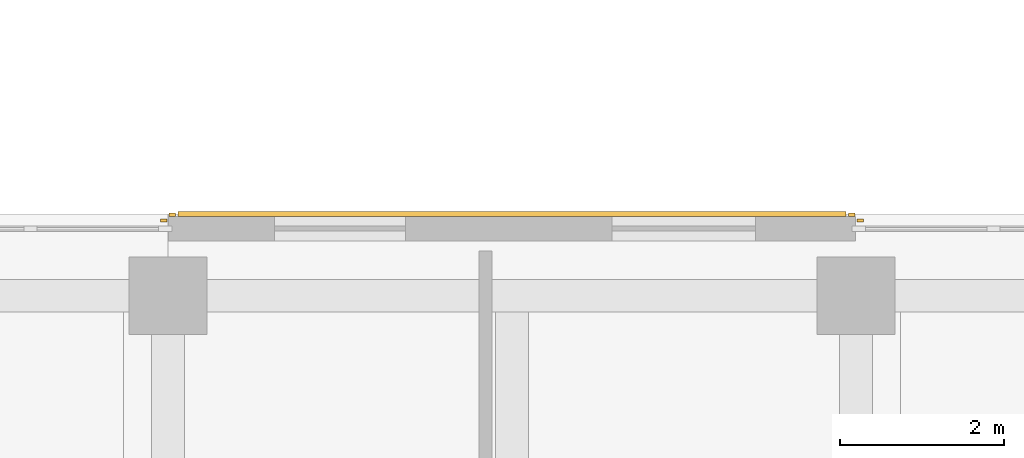
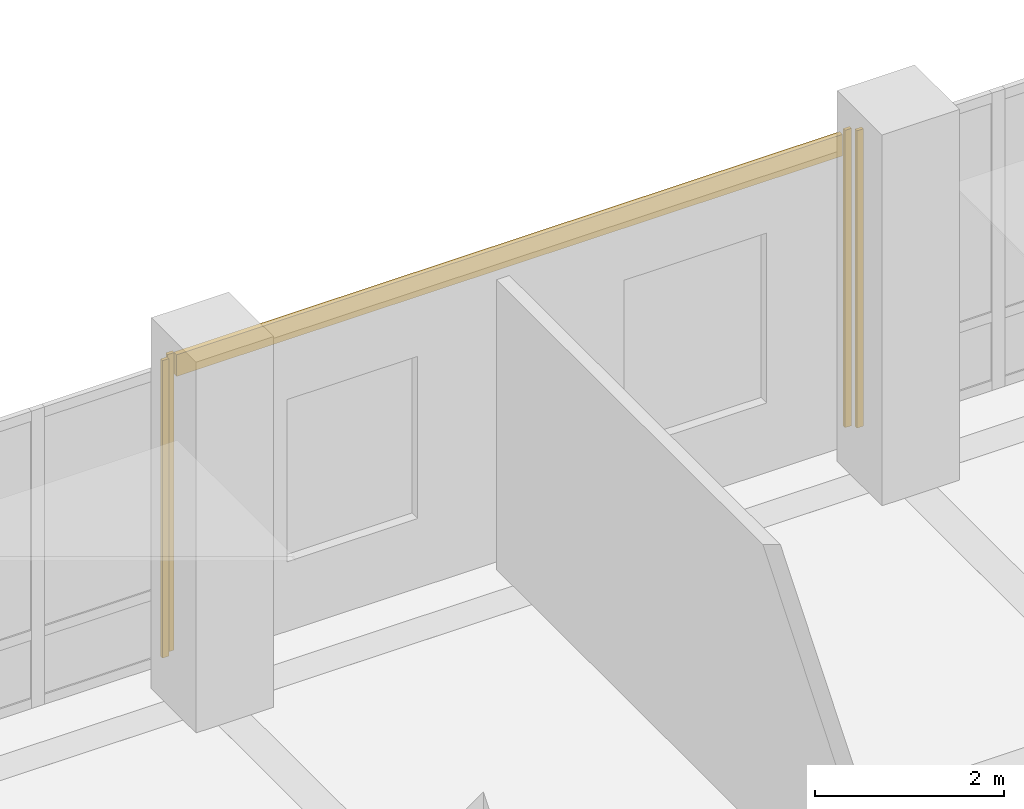
# One storey, part 115 of 122: 5 coverings.
"""IFC4 building model written with IfcOpenShell, lengths in metres."""

from ifc_helpers import new_model, si_unit, direction, frame, origin, origin_2d, place, context, subcontext, project, spatial, rectangle, extrude, material, layer, layer_set, type_object, element, save


model = new_model("IFC4")

# Units and contexts
model_context = context("Model", 3, precision=1e-05, world=origin(), true_north=direction((0.0, 1.0)))
body_context = subcontext(model_context, "Body", "Model", "MODEL_VIEW")
ifc_project = project(units=[si_unit("LENGTHUNIT", "METRE"), si_unit("AREAUNIT", "SQUARE_METRE"), si_unit("VOLUMEUNIT", "CUBIC_METRE"), si_unit("PLANEANGLEUNIT", "RADIAN"), si_unit("MASSUNIT", "GRAM", prefix="KILO")], contexts=[model_context])

# Site, building, storey
site_placement = place(None, origin())
site = spatial("IfcSite", under=ifc_project, at=site_placement, CompositionType="ELEMENT")
building_placement = place(site_placement, origin())
building = spatial("IfcBuilding", under=site, at=building_placement, Name="Telukmera Botanical Conservatory", CompositionType="ELEMENT")
storey_placement = place(building_placement, frame((0.0, 0.0, 10.199951171875)))
storey = spatial("IfcBuildingStorey", under=building, at=storey_placement, Name="L02", CompositionType="ELEMENT", Elevation=10.199951171875)

# Coverings
ifc_material_1 = material(Name="Granite-faced precast concrete C40/50", Category="masonry")
ifc_layer_1 = layer(ifc_material_1, 0.0400390625)
ifc_layer_set_1 = layer_set([ifc_layer_1], Name="Granite-faced precast concrete C40/50")
covering_type_1 = type_object("IfcCoveringType", Name="Granite Precast Column Pier Reveal Casing", PredefinedType="CLADDING", material=ifc_layer_set_1)
for number, where, z_axis, x_axis, name in (
    (1, (75.548095703125, 49.1201171875, 0.0), (0.0, 0.0, 1.0), (1.0, 0.0, 0.0), "Granite Pier Reveal V4:L02:N3 R"),
    (2, (75.652099609375, 49.18994140625, 0.0), (0.0, 0.0, 1.0), (1.0, 0.0, 0.0), "Granite Pier Reveal V4:L02:N4 L"),
    (3, (83.947998046875, 49.18994140625, 0.0), (0.0, 0.0, 1.0), (1.0, 0.0, 0.0), "Granite Pier Reveal V4:L02:N4 R"),
    (4, (84.052001953125, 49.1201171875, 0.0), (0.0, 0.0, 1.0), (1.0, 0.0, 0.0), "Granite Pier Reveal V4:L02:N5 L"),
):
    element("IfcCovering", number, at=place(storey_placement, frame(where, z_axis=z_axis, x_axis=x_axis)), inside=storey, type_object=covering_type_1, Name=name, PredefinedType="CLADDING", context=body_context, shape_type="SweptSolid", body=[
        extrude(rectangle(XDim=0.080078125, YDim=0.0400390625, at=origin_2d()), origin(), (0.0, 0.0, 1.0), 3.85009765625),
    ])
ifc_material_2 = material(Name="Terracotta-faced precast concrete C40/50", Category="masonry")
ifc_layer_2 = layer(ifc_material_2, 0.06005859375)
ifc_layer_set_2 = layer_set([ifc_layer_2], Name="Terracotta-faced precast concrete C40/50")
covering_type_2 = type_object("IfcCoveringType", Name="Polychrome Terracotta Facade Band Cladding", PredefinedType="CLADDING", material=ifc_layer_set_2)
covering_placement = place(storey_placement, frame((79.800048828125, 49.199951171875, 3.5302734375), z_axis=(0.0, 0.0, 1.0), x_axis=(1.0, 0.0, 0.0)))
element("IfcCovering", 5, at=covering_placement, inside=storey, type_object=covering_type_2, Name="Polychrome Terracotta Band V4:L02:N4", PredefinedType="CLADDING", context=body_context, shape_type="SweptSolid", body=[
    extrude(rectangle(XDim=8.156005859375, YDim=0.06005859375, at=origin_2d()), origin(), (0.0, 0.0, 1.0), 0.280029296875),
])

save(model, "model.ifc")
